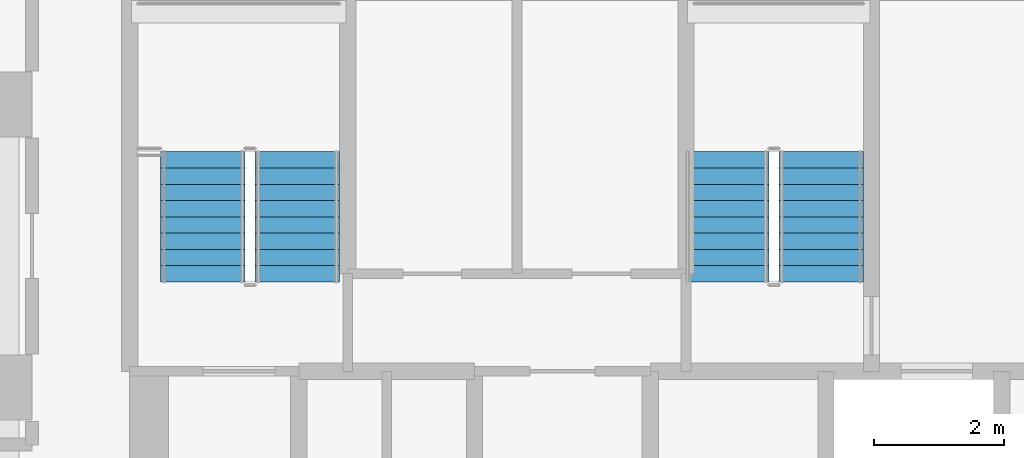
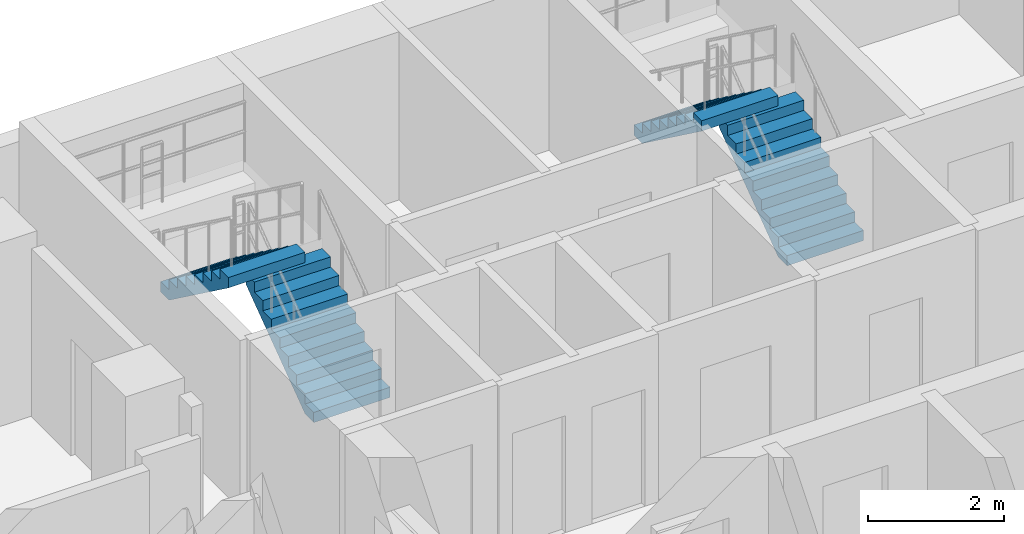
# One storey, part 9 of 14: 4 stair flights, 2 elements without a shape of their own.
"""IFC4 building model written with IfcOpenShell, lengths in metres."""

from ifc_helpers import new_model, si_unit, direction, frame, origin, place, context, subcontext, project, spatial, polyline, outline, extrude, material, type_object, element, aggregate, save


model = new_model("IFC4")

# Units and contexts
model_context = context("Model", 3, precision=1e-05, world=origin(), true_north=direction((0.0, 1.0)))
body_context = subcontext(model_context, "Body", "Model", "MODEL_VIEW")
ifc_project = project(units=[si_unit("LENGTHUNIT", "METRE"), si_unit("AREAUNIT", "SQUARE_METRE"), si_unit("VOLUMEUNIT", "CUBIC_METRE"), si_unit("PLANEANGLEUNIT", "RADIAN"), si_unit("MASSUNIT", "GRAM", prefix="KILO")], contexts=[model_context])

# Site, building, storey
site_placement = place(None, origin())
site = spatial("IfcSite", under=ifc_project, at=site_placement, CompositionType="ELEMENT")
building_placement = place(site_placement, origin())
building = spatial("IfcBuilding", under=site, at=building_placement, Name="Nakaniwa Court", CompositionType="ELEMENT")
storey_placement = place(building_placement, frame((0.0, 0.0, 114.0)))
storey = spatial("IfcBuildingStorey", under=building, at=storey_placement, Name="L30", CompositionType="ELEMENT", Elevation=114.0)

# Stair, stair flights
ifc_material = material(Name="Concrete C80/100", Category="concrete")
stair_type = type_object("IfcStairType", Name="Dog leg stair 1300 wide 18 risers", PredefinedType="HALF_TURN_STAIR", material=ifc_material)
stair_1_placement = place(storey_placement, origin())
stair_1 = element("IfcStair", 1, at=stair_1_placement, inside=storey, type_object=stair_type, Name="L30 Stair ST1", PredefinedType="HALF_TURN_STAIR")
stair_flight_type = type_object("IfcStairFlightType", Name="Stair flight 1300 wide 9 risers", PredefinedType="STRAIGHT", material=ifc_material)
stair_flight_1_placement = place(storey_placement, frame((74.574951171875, 98.27490234375, 0.0), z_axis=(0.0, 0.0, 1.0), x_axis=(0.0, 1.0, 0.0)))
stair_flight_1 = element("IfcStairFlight", 2, at=stair_flight_1_placement, type_object=stair_flight_type, Name="ST1 flight 1", NumberOfRisers=9, NumberOfTreads=8, PredefinedType="STRAIGHT", RiserHeight=0.183333333, TreadLength=0.25, context=body_context, shape_type="SweptSolid", body=[
    extrude(outline(polyline([(0.0, 0.0), (0.0, 0.026123046875), (0.0, 0.052490234375), (0.0, 0.07861328125), (0.0, 0.104736328125), (0.0, 0.130859375), (0.0, 0.1572265625), (0.0, 0.183349609375), (0.25, 0.183349609375), (0.25, 0.36669921875), (0.5, 0.36669921875), (0.5, 0.550048828125), (0.75, 0.550048828125), (0.75, 0.7333984375), (1.0, 0.7333984375), (1.0, 0.916748046875), (1.25, 0.916748046875), (1.25, 1.10009765625), (1.5, 1.10009765625), (1.5, 1.283447265625), (1.75, 1.283447265625), (1.75, 1.466552734375), (2.0, 1.466552734375), (2.0, 1.64990234375), (2.0, 1.59716796875), (2.0, 1.54443359375), (2.0, 1.49169921875), (2.0, 1.43896484375), (2.0, 1.38623046875), (2.0, 1.33349609375), (2.0, 1.28076171875), (0.25341796875, 0.0), (0.0, 0.0)])), frame((0.0, 0.64990234375, 0.0), z_axis=(0.0, -1.0, 0.0), x_axis=(1.0, 0.0, 0.0)), (0.0, 0.0, 1.0), 1.300048828125),
])
stair_flight_2_placement = place(storey_placement, frame((73.125, 100.27490234375, 1.64990234375), z_axis=(0.0, 0.0, 1.0), x_axis=(0.0, -1.0, 0.0)))
stair_flight_2 = element("IfcStairFlight", 3, at=stair_flight_2_placement, type_object=stair_flight_type, Name="ST1 flight 2", NumberOfRisers=9, NumberOfTreads=8, PredefinedType="STRAIGHT", RiserHeight=0.183333333, TreadLength=0.25, context=body_context, shape_type="SweptSolid", body=[
    extrude(outline(polyline([(0.0, 0.0), (0.0, 0.026123046875), (0.0, 0.052490234375), (0.0, 0.07861328125), (0.0, 0.104736328125), (0.0, 0.130859375), (0.0, 0.1572265625), (0.0, 0.183349609375), (0.25, 0.183349609375), (0.25, 0.36669921875), (0.5, 0.36669921875), (0.5, 0.550048828125), (0.75, 0.550048828125), (0.75, 0.7333984375), (1.0, 0.7333984375), (1.0, 0.916748046875), (1.25, 0.916748046875), (1.25, 1.10009765625), (1.5, 1.10009765625), (1.5, 1.283447265625), (1.75, 1.283447265625), (1.75, 1.466552734375), (2.0, 1.466552734375), (2.0, 1.64990234375), (2.0, 1.59716796875), (2.0, 1.54443359375), (2.0, 1.49169921875), (2.0, 1.43896484375), (2.0, 1.38623046875), (2.0, 1.33349609375), (2.0, 1.28076171875), (0.25341796875, 0.0), (0.0, 0.0)])), frame((0.0, 0.64990234375, 0.0), z_axis=(0.0, -1.0, 0.0), x_axis=(1.0, 0.0, 0.0)), (0.0, 0.0, 1.0), 1.300048828125),
])
aggregate(stair_1, [stair_flight_1, stair_flight_2])

stair_2_placement = place(storey_placement, origin())
stair_2 = element("IfcStair", 4, at=stair_2_placement, inside=storey, type_object=stair_type, Name="L30 Stair ST2", PredefinedType="HALF_TURN_STAIR")
stair_flight_3_placement = place(storey_placement, frame((82.625, 98.27490234375, 0.0), z_axis=(0.0, 0.0, 1.0), x_axis=(0.0, 1.0, 0.0)))
stair_flight_3 = element("IfcStairFlight", 5, at=stair_flight_3_placement, type_object=stair_flight_type, Name="ST2 flight 1", NumberOfRisers=9, NumberOfTreads=8, PredefinedType="STRAIGHT", RiserHeight=0.183333333, TreadLength=0.25, context=body_context, shape_type="SweptSolid", body=[
    extrude(outline(polyline([(0.0, 0.0), (0.0, 0.026123046875), (0.0, 0.052490234375), (0.0, 0.07861328125), (0.0, 0.104736328125), (0.0, 0.130859375), (0.0, 0.1572265625), (0.0, 0.183349609375), (0.25, 0.183349609375), (0.25, 0.36669921875), (0.5, 0.36669921875), (0.5, 0.550048828125), (0.75, 0.550048828125), (0.75, 0.7333984375), (1.0, 0.7333984375), (1.0, 0.916748046875), (1.25, 0.916748046875), (1.25, 1.10009765625), (1.5, 1.10009765625), (1.5, 1.283447265625), (1.75, 1.283447265625), (1.75, 1.466552734375), (2.0, 1.466552734375), (2.0, 1.64990234375), (2.0, 1.59716796875), (2.0, 1.54443359375), (2.0, 1.49169921875), (2.0, 1.43896484375), (2.0, 1.38623046875), (2.0, 1.33349609375), (2.0, 1.28076171875), (0.25341796875, 0.0), (0.0, 0.0)])), frame((0.0, 0.64990234375, 0.0), z_axis=(0.0, -1.0, 0.0), x_axis=(1.0, 0.0, 0.0)), (0.0, 0.0, 1.0), 1.300048828125),
])
stair_flight_4_placement = place(storey_placement, frame((81.175048828125, 100.27490234375, 1.64990234375), z_axis=(0.0, 0.0, 1.0), x_axis=(0.0, -1.0, 0.0)))
stair_flight_4 = element("IfcStairFlight", 6, at=stair_flight_4_placement, type_object=stair_flight_type, Name="ST2 flight 2", NumberOfRisers=9, NumberOfTreads=8, PredefinedType="STRAIGHT", RiserHeight=0.183333333, TreadLength=0.25, context=body_context, shape_type="SweptSolid", body=[
    extrude(outline(polyline([(0.0, 0.0), (0.0, 0.026123046875), (0.0, 0.052490234375), (0.0, 0.07861328125), (0.0, 0.104736328125), (0.0, 0.130859375), (0.0, 0.1572265625), (0.0, 0.183349609375), (0.25, 0.183349609375), (0.25, 0.36669921875), (0.5, 0.36669921875), (0.5, 0.550048828125), (0.75, 0.550048828125), (0.75, 0.7333984375), (1.0, 0.7333984375), (1.0, 0.916748046875), (1.25, 0.916748046875), (1.25, 1.10009765625), (1.5, 1.10009765625), (1.5, 1.283447265625), (1.75, 1.283447265625), (1.75, 1.466552734375), (2.0, 1.466552734375), (2.0, 1.64990234375), (2.0, 1.59716796875), (2.0, 1.54443359375), (2.0, 1.49169921875), (2.0, 1.43896484375), (2.0, 1.38623046875), (2.0, 1.33349609375), (2.0, 1.28076171875), (0.25341796875, 0.0), (0.0, 0.0)])), frame((0.0, 0.64990234375, 0.0), z_axis=(0.0, -1.0, 0.0), x_axis=(1.0, 0.0, 0.0)), (0.0, 0.0, 1.0), 1.300048828125),
])
aggregate(stair_2, [stair_flight_3, stair_flight_4])

save(model, "model.ifc")
